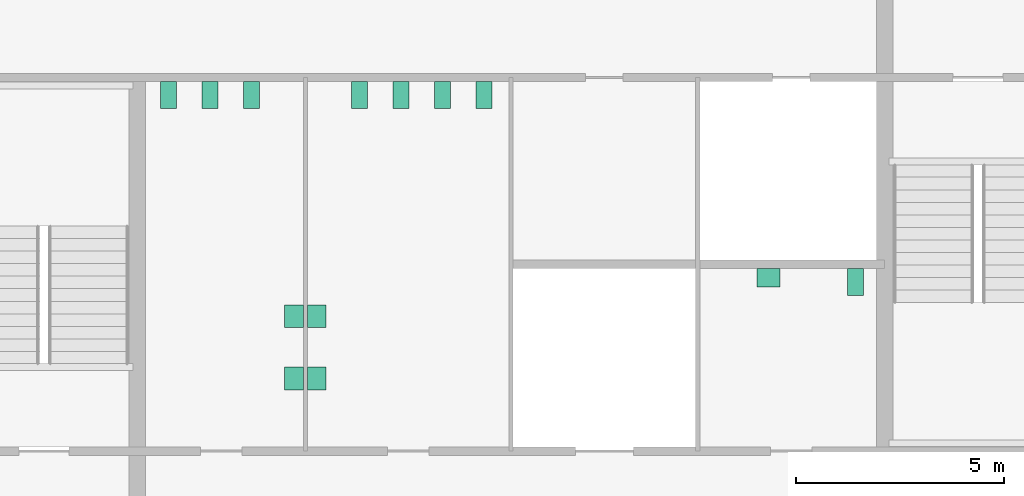
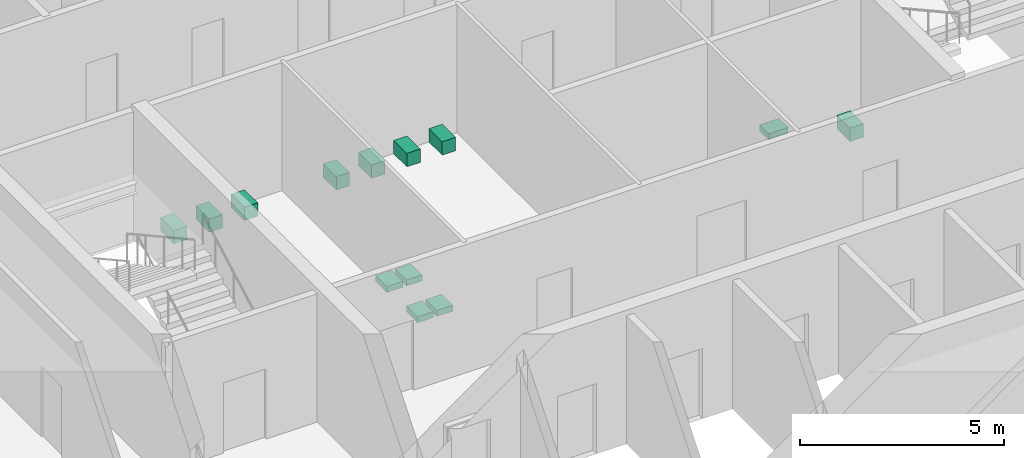
# One storey, part 13 of 13: 13 sanitary terminals.
"""IFC4 building model written with IfcOpenShell, lengths in metres."""

from ifc_helpers import new_model, si_unit, direction, frame, origin, origin_2d, place, context, subcontext, project, spatial, rectangle, extrude, material, type_object, element, save


model = new_model("IFC4")

# Units and contexts
model_context = context("Model", 3, precision=1e-05, world=origin(), true_north=direction((0.0, 1.0)))
body_context = subcontext(model_context, "Body", "Model", "MODEL_VIEW")
ifc_project = project(units=[si_unit("LENGTHUNIT", "METRE"), si_unit("AREAUNIT", "SQUARE_METRE"), si_unit("VOLUMEUNIT", "CUBIC_METRE"), si_unit("PLANEANGLEUNIT", "RADIAN"), si_unit("MASSUNIT", "GRAM", prefix="KILO")], contexts=[model_context])

# Site, building, storey
site_placement = place(None, origin())
site = spatial("IfcSite", under=ifc_project, at=site_placement, CompositionType="ELEMENT")
building_placement = place(site_placement, origin())
building = spatial("IfcBuilding", under=site, at=building_placement, Name="Corais Broadcast Tower", CompositionType="ELEMENT")
storey_placement = place(building_placement, frame((0.0, 0.0, 226.60009765625)))
storey = spatial("IfcBuildingStorey", under=building, at=storey_placement, Name="L52", CompositionType="ELEMENT", Elevation=226.60009765625)

# Sanitary terminals
ifc_material_1 = material(Name="Vitreous china", Category="ceramic")
sanitary_terminal_type_1 = type_object("IfcSanitaryTerminalType", Name="WC pan 380x650", PredefinedType="TOILETPAN", material=ifc_material_1)
for number, where, z_axis, x_axis, name in (
    (1, (18.75, 31.074951171875, 0.0), (0.0, 0.0, 1.0), (1.0, 0.0, 0.0), "SW1 WC pan, male toilets L52"),
    (2, (19.75, 31.074951171875, 0.0), (0.0, 0.0, 1.0), (1.0, 0.0, 0.0), "SW1 WC pan, male toilets L52"),
    (3, (20.75, 31.074951171875, 0.0), (0.0, 0.0, 1.0), (1.0, 0.0, 0.0), "SW1 WC pan, male toilets L52"),
    (4, (23.35009765625, 31.074951171875, 0.0), (0.0, 0.0, 1.0), (1.0, 0.0, 0.0), "SW1 WC pan, female toilets L52"),
    (5, (24.35009765625, 31.074951171875, 0.0), (0.0, 0.0, 1.0), (1.0, 0.0, 0.0), "SW1 WC pan, female toilets L52"),
    (6, (25.35009765625, 31.074951171875, 0.0), (0.0, 0.0, 1.0), (1.0, 0.0, 0.0), "SW1 WC pan, female toilets L52"),
    (7, (26.35009765625, 31.074951171875, 0.0), (0.0, 0.0, 1.0), (1.0, 0.0, 0.0), "SW1 WC pan, female toilets L52"),
    (8, (35.300048828125, 26.574951171875, 0.0), (0.0, 0.0, 1.0), (1.0, 0.0, 0.0), "SW1 WC pan, accessible WC L52"),
):
    element("IfcSanitaryTerminal", number, at=place(storey_placement, frame(where, z_axis=z_axis, x_axis=x_axis)), inside=storey, type_object=sanitary_terminal_type_1, Name=name, PredefinedType="TOILETPAN", context=body_context, shape_type="SweptSolid", body=[
        extrude(rectangle(XDim=0.3798828125, YDim=0.64990234375, at=origin_2d()), origin(), (0.0, 0.0, 1.0), 0.39990234375),
    ])
ifc_material_2 = material(Name="Vitreous china", Category="ceramic")
sanitary_terminal_type_2 = type_object("IfcSanitaryTerminalType", Name="Wash basin 550x450", PredefinedType="WASHHANDBASIN", material=ifc_material_2)
for number, where, z_axis, x_axis, name in (
    (9, (21.77490234375, 24.25, 0.69970703125), (0.0, 0.0, 1.0), (1.0, 0.0, 0.0), "WB1 wash basin, male toilets L52"),
    (10, (21.77490234375, 25.75, 0.69970703125), (0.0, 0.0, 1.0), (1.0, 0.0, 0.0), "WB1 wash basin, male toilets L52"),
    (11, (22.324951171875, 24.25, 0.69970703125), (0.0, 0.0, 1.0), (1.0, 0.0, 0.0), "WB1 wash basin, female toilets L52"),
    (12, (22.324951171875, 25.75, 0.69970703125), (0.0, 0.0, 1.0), (1.0, 0.0, 0.0), "WB1 wash basin, female toilets L52"),
):
    element("IfcSanitaryTerminal", number, at=place(storey_placement, frame(where, z_axis=z_axis, x_axis=x_axis)), inside=storey, type_object=sanitary_terminal_type_2, Name=name, PredefinedType="WASHHANDBASIN", context=body_context, shape_type="SweptSolid", body=[
        extrude(rectangle(XDim=0.449951171875, YDim=0.550048828125, at=origin_2d()), origin(), (0.0, 0.0, 1.0), 0.179931640625),
    ])
sanitary_terminal_placement = place(storey_placement, frame((33.199951171875, 26.675048828125, 0.69970703125), z_axis=(0.0, 0.0, 1.0), x_axis=(1.0, 0.0, 0.0)))
element("IfcSanitaryTerminal", 13, at=sanitary_terminal_placement, inside=storey, type_object=sanitary_terminal_type_2, Name="WB1 wash basin, accessible WC L52", PredefinedType="WASHHANDBASIN", context=body_context, shape_type="SweptSolid", body=[
    extrude(rectangle(XDim=0.550048828125, YDim=0.449951171875, at=origin_2d()), origin(), (0.0, 0.0, 1.0), 0.179931640625),
])

save(model, "model.ifc")
